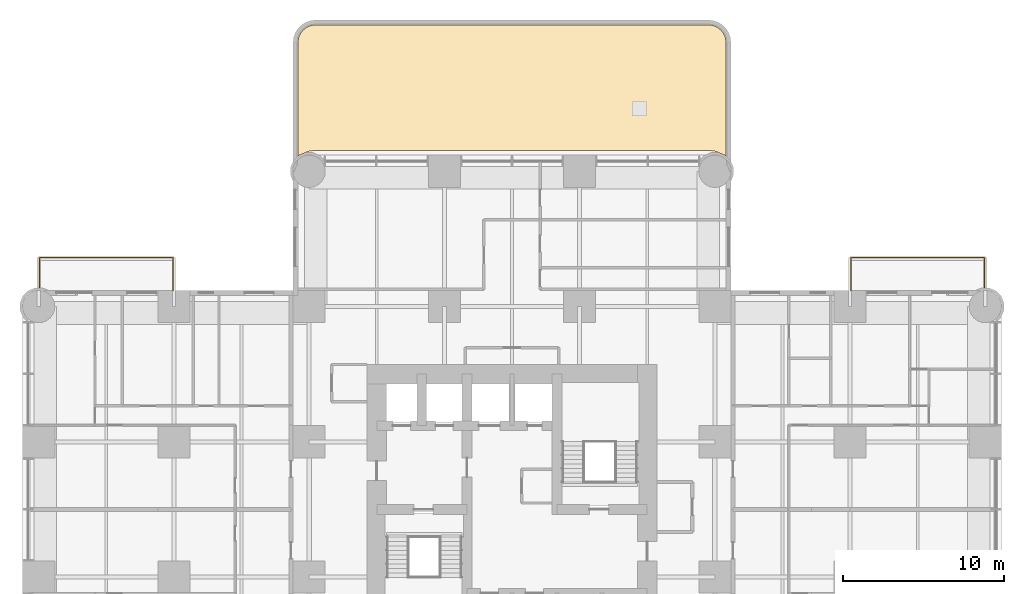
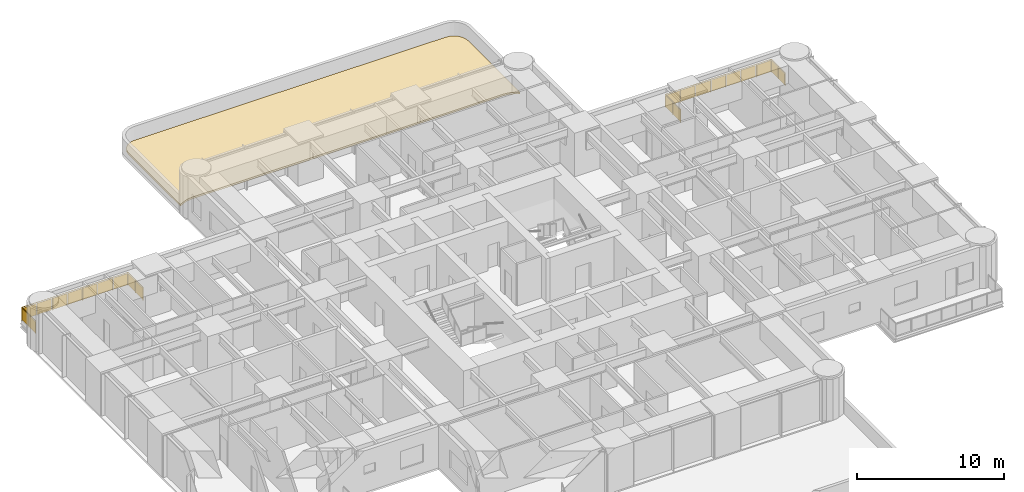
# One storey, part 14 of 14: 2 railings, 1 covering.
"""IFC4 building model written with IfcOpenShell, lengths in metres."""

from ifc_helpers import new_model, si_unit, direction, frame, origin, origin_2d, place, context, subcontext, project, spatial, polyline, circle, outline, extrude, material, layer, layer_set, constituent, constituent_set, type_object, element, save


model = new_model("IFC4")

# Units and contexts
model_context = context("Model", 3, precision=1e-05, world=origin(), true_north=direction((0.0, 1.0)))
body_context = subcontext(model_context, "Body", "Model", "MODEL_VIEW")
ifc_project = project(units=[si_unit("LENGTHUNIT", "METRE"), si_unit("AREAUNIT", "SQUARE_METRE"), si_unit("VOLUMEUNIT", "CUBIC_METRE"), si_unit("PLANEANGLEUNIT", "RADIAN"), si_unit("MASSUNIT", "GRAM", prefix="KILO")], contexts=[model_context])

# Site, building, storey
site_placement = place(None, origin())
site = spatial("IfcSite", under=ifc_project, at=site_placement, CompositionType="ELEMENT")
building_placement = place(site_placement, origin())
building = spatial("IfcBuilding", under=site, at=building_placement, Name="Torre Alcanfor", CompositionType="ELEMENT")
storey_placement = place(building_placement, frame((0.0, 0.0, 108.89990234375)))
storey = spatial("IfcBuildingStorey", under=building, at=storey_placement, Name="L27", CompositionType="ELEMENT", Elevation=108.89990234375)

# Railings
ifc_material_1 = material(Name="Laminated safety glass", Category="glass")
ifc_constituent_1 = constituent(ifc_material_1, Name="Infill")
ifc_material_2 = material(Name="Stainless steel ASTM A554 Grade MT 316L tube", Category="steel")
ifc_constituent_2 = constituent(ifc_material_2, Name="Posts and rail")
ifc_constituent_set = constituent_set(constituents=[ifc_constituent_1, ifc_constituent_2], Name="Balcony guard glass 1100")
railing_type = type_object("IfcRailingType", Name="Balcony guard glass 1100", PredefinedType="BALUSTRADE", material=ifc_constituent_set)
railing_1_placement = place(storey_placement, frame((50.449951171875, 43.0, 0.0)))
element("IfcRailing", 1, at=railing_1_placement, inside=storey, type_object=railing_type, Name="Balcony guard L27-E1", PredefinedType="BALUSTRADE", context=body_context, shape_type="SweptSolid", body=[
    extrude(circle(Radius=0.02392578125, at=origin_2d()), frame((0.0, 0.0, 1.076171875), z_axis=(0.0, 1.0, 0.0), x_axis=(-1.0, 0.0, 0.0)), (0.0, 0.0, 1.0), 2.050048828125),
    extrude(circle(Radius=0.02392578125, at=origin_2d()), frame((0.0, 2.050048828125, 1.076171875), z_axis=(1.0, 0.0, 0.0), x_axis=(0.0, 1.0, 0.0)), (0.0, 0.0, 1.0), 8.300048828125),
    extrude(circle(Radius=0.02392578125, at=origin_2d()), frame((8.300048828125, 2.050048828125, 1.076171875), z_axis=(0.0, -1.0, 0.0), x_axis=(1.0, 0.0, 0.0)), (0.0, 0.0, 1.0), 1.869140625),
    extrude(circle(Radius=0.02099609375, at=origin_2d()), origin(), (0.0, 0.0, 1.0), 1.052001953125),
    extrude(circle(Radius=0.02099609375, at=origin_2d()), frame((0.0, 1.02490234375, 0.0)), (0.0, 0.0, 1.0), 1.052001953125),
    extrude(circle(Radius=0.02099609375, at=origin_2d()), frame((0.0, 2.050048828125, 0.0)), (0.0, 0.0, 1.0), 1.052001953125),
    extrude(circle(Radius=0.02099609375, at=origin_2d()), frame((1.185791015625, 2.050048828125, 0.0)), (0.0, 0.0, 1.0), 1.052001953125),
    extrude(circle(Radius=0.02099609375, at=origin_2d()), frame((2.371337890625, 2.050048828125, 0.0)), (0.0, 0.0, 1.0), 1.052001953125),
    extrude(circle(Radius=0.02099609375, at=origin_2d()), frame((3.55712890625, 2.050048828125, 0.0)), (0.0, 0.0, 1.0), 1.052001953125),
    extrude(circle(Radius=0.02099609375, at=origin_2d()), frame((4.742919921875, 2.050048828125, 0.0)), (0.0, 0.0, 1.0), 1.052001953125),
    extrude(circle(Radius=0.02099609375, at=origin_2d()), frame((5.9287109375, 2.050048828125, 0.0)), (0.0, 0.0, 1.0), 1.052001953125),
    extrude(circle(Radius=0.02099609375, at=origin_2d()), frame((7.1142578125, 2.050048828125, 0.0)), (0.0, 0.0, 1.0), 1.052001953125),
    extrude(circle(Radius=0.02099609375, at=origin_2d()), frame((8.300048828125, 2.050048828125, 0.0)), (0.0, 0.0, 1.0), 1.052001953125),
    extrude(circle(Radius=0.02099609375, at=origin_2d()), frame((8.300048828125, 1.115478515625, 0.0)), (0.0, 0.0, 1.0), 1.052001953125),
    extrude(circle(Radius=0.02099609375, at=origin_2d()), frame((8.300048828125, 0.180908203125, 0.0)), (0.0, 0.0, 1.0), 1.052001953125),
    extrude(outline(polyline([(0.041015625, 0.050048828125), (0.984130859375, 0.050048828125), (0.984130859375, 1.001953125), (0.041015625, 1.001953125), (0.041015625, 0.050048828125)])), frame((-0.005859375, 0.0, 0.0), z_axis=(1.0, 0.0, 0.0), x_axis=(0.0, 1.0, 0.0)), (0.0, 0.0, 1.0), 0.011962890625),
    extrude(outline(polyline([(1.06591796875, 0.050048828125), (2.009033203125, 0.050048828125), (2.009033203125, 1.001953125), (1.06591796875, 1.001953125), (1.06591796875, 0.050048828125)])), frame((-0.005859375, 0.0, 0.0), z_axis=(1.0, 0.0, 0.0), x_axis=(0.0, 1.0, 0.0)), (0.0, 0.0, 1.0), 0.011962890625),
    extrude(outline(polyline([(0.041015625, 0.050048828125), (1.144775390625, 0.050048828125), (1.144775390625, 1.001953125), (0.041015625, 1.001953125), (0.041015625, 0.050048828125)])), frame((0.0, 2.05615234375, 0.0), z_axis=(0.0, -1.0, 0.0), x_axis=(1.0, 0.0, 0.0)), (0.0, 0.0, 1.0), 0.011962890625),
    extrude(outline(polyline([(1.226806640625, 0.050048828125), (2.330322265625, 0.050048828125), (2.330322265625, 1.001953125), (1.226806640625, 1.001953125), (1.226806640625, 0.050048828125)])), frame((0.0, 2.05615234375, 0.0), z_axis=(0.0, -1.0, 0.0), x_axis=(1.0, 0.0, 0.0)), (0.0, 0.0, 1.0), 0.011962890625),
    extrude(outline(polyline([(2.412353515625, 0.050048828125), (3.51611328125, 0.050048828125), (3.51611328125, 1.001953125), (2.412353515625, 1.001953125), (2.412353515625, 0.050048828125)])), frame((0.0, 2.05615234375, 0.0), z_axis=(0.0, -1.0, 0.0), x_axis=(1.0, 0.0, 0.0)), (0.0, 0.0, 1.0), 0.011962890625),
    extrude(outline(polyline([(3.59814453125, 0.050048828125), (4.701904296875, 0.050048828125), (4.701904296875, 1.001953125), (3.59814453125, 1.001953125), (3.59814453125, 0.050048828125)])), frame((0.0, 2.05615234375, 0.0), z_axis=(0.0, -1.0, 0.0), x_axis=(1.0, 0.0, 0.0)), (0.0, 0.0, 1.0), 0.011962890625),
    extrude(outline(polyline([(4.783935546875, 0.050048828125), (5.8876953125, 0.050048828125), (5.8876953125, 1.001953125), (4.783935546875, 1.001953125), (4.783935546875, 0.050048828125)])), frame((0.0, 2.05615234375, 0.0), z_axis=(0.0, -1.0, 0.0), x_axis=(1.0, 0.0, 0.0)), (0.0, 0.0, 1.0), 0.011962890625),
    extrude(outline(polyline([(5.9697265625, 0.050048828125), (7.0732421875, 0.050048828125), (7.0732421875, 1.001953125), (5.9697265625, 1.001953125), (5.9697265625, 0.050048828125)])), frame((0.0, 2.05615234375, 0.0), z_axis=(0.0, -1.0, 0.0), x_axis=(1.0, 0.0, 0.0)), (0.0, 0.0, 1.0), 0.011962890625),
    extrude(outline(polyline([(7.1552734375, 0.050048828125), (8.259033203125, 0.050048828125), (8.259033203125, 1.001953125), (7.1552734375, 1.001953125), (7.1552734375, 0.050048828125)])), frame((0.0, 2.05615234375, 0.0), z_axis=(0.0, -1.0, 0.0), x_axis=(1.0, 0.0, 0.0)), (0.0, 0.0, 1.0), 0.011962890625),
    extrude(outline(polyline([(0.041015625, 0.050048828125), (0.8935546875, 0.050048828125), (0.8935546875, 1.001953125), (0.041015625, 1.001953125), (0.041015625, 0.050048828125)])), frame((8.30615234375, 2.050048828125, 0.0), z_axis=(-1.0, 0.0, 0.0), x_axis=(0.0, -1.0, 0.0)), (0.0, 0.0, 1.0), 0.011962890625),
    extrude(outline(polyline([(0.9755859375, 0.050048828125), (1.828125, 0.050048828125), (1.828125, 1.001953125), (0.9755859375, 1.001953125), (0.9755859375, 0.050048828125)])), frame((8.30615234375, 2.050048828125, 0.0), z_axis=(-1.0, 0.0, 0.0), x_axis=(0.0, -1.0, 0.0)), (0.0, 0.0, 1.0), 0.011962890625),
])
railing_2_placement = place(storey_placement, frame((8.35009765625, 43.0, 0.0)))
element("IfcRailing", 2, at=railing_2_placement, inside=storey, type_object=railing_type, Name="Balcony guard L27-W2", PredefinedType="BALUSTRADE", context=body_context, shape_type="SweptSolid", body=[
    extrude(circle(Radius=0.02392578125, at=origin_2d()), frame((0.0, 0.0, 1.076171875), z_axis=(0.0, 1.0, 0.0), x_axis=(-1.0, 0.0, 0.0)), (0.0, 0.0, 1.0), 2.050048828125),
    extrude(circle(Radius=0.02392578125, at=origin_2d()), frame((0.0, 2.050048828125, 1.076171875), z_axis=(-1.0, 0.0, 0.0), x_axis=(0.0, -1.0, 0.0)), (0.0, 0.0, 1.0), 8.300048828125),
    extrude(circle(Radius=0.02392578125, at=origin_2d()), frame((-8.300048828125, 2.050048828125, 1.076171875), z_axis=(0.0, -1.0, 0.0), x_axis=(1.0, 0.0, 0.0)), (0.0, 0.0, 1.0), 1.869140625),
    extrude(circle(Radius=0.02099609375, at=origin_2d()), origin(), (0.0, 0.0, 1.0), 1.052001953125),
    extrude(circle(Radius=0.02099609375, at=origin_2d()), frame((0.0, 1.02490234375, 0.0)), (0.0, 0.0, 1.0), 1.052001953125),
    extrude(circle(Radius=0.02099609375, at=origin_2d()), frame((0.0, 2.050048828125, 0.0)), (0.0, 0.0, 1.0), 1.052001953125),
    extrude(circle(Radius=0.02099609375, at=origin_2d()), frame((-1.185791015625, 2.050048828125, 0.0)), (0.0, 0.0, 1.0), 1.052001953125),
    extrude(circle(Radius=0.02099609375, at=origin_2d()), frame((-2.371337890625, 2.050048828125, 0.0)), (0.0, 0.0, 1.0), 1.052001953125),
    extrude(circle(Radius=0.02099609375, at=origin_2d()), frame((-3.55712890625, 2.050048828125, 0.0)), (0.0, 0.0, 1.0), 1.052001953125),
    extrude(circle(Radius=0.02099609375, at=origin_2d()), frame((-4.742919921875, 2.050048828125, 0.0)), (0.0, 0.0, 1.0), 1.052001953125),
    extrude(circle(Radius=0.02099609375, at=origin_2d()), frame((-5.9287109375, 2.050048828125, 0.0)), (0.0, 0.0, 1.0), 1.052001953125),
    extrude(circle(Radius=0.02099609375, at=origin_2d()), frame((-7.1142578125, 2.050048828125, 0.0)), (0.0, 0.0, 1.0), 1.052001953125),
    extrude(circle(Radius=0.02099609375, at=origin_2d()), frame((-8.300048828125, 2.050048828125, 0.0)), (0.0, 0.0, 1.0), 1.052001953125),
    extrude(circle(Radius=0.02099609375, at=origin_2d()), frame((-8.300048828125, 1.115478515625, 0.0)), (0.0, 0.0, 1.0), 1.052001953125),
    extrude(circle(Radius=0.02099609375, at=origin_2d()), frame((-8.300048828125, 0.180908203125, 0.0)), (0.0, 0.0, 1.0), 1.052001953125),
    extrude(outline(polyline([(0.041015625, 0.050048828125), (0.984130859375, 0.050048828125), (0.984130859375, 1.001953125), (0.041015625, 1.001953125), (0.041015625, 0.050048828125)])), frame((-0.005859375, 0.0, 0.0), z_axis=(1.0, 0.0, 0.0), x_axis=(0.0, 1.0, 0.0)), (0.0, 0.0, 1.0), 0.011962890625),
    extrude(outline(polyline([(1.06591796875, 0.050048828125), (2.009033203125, 0.050048828125), (2.009033203125, 1.001953125), (1.06591796875, 1.001953125), (1.06591796875, 0.050048828125)])), frame((-0.005859375, 0.0, 0.0), z_axis=(1.0, 0.0, 0.0), x_axis=(0.0, 1.0, 0.0)), (0.0, 0.0, 1.0), 0.011962890625),
    extrude(outline(polyline([(0.041015625, 0.050048828125), (1.144775390625, 0.050048828125), (1.144775390625, 1.001953125), (0.041015625, 1.001953125), (0.041015625, 0.050048828125)])), frame((0.0, 2.0439453125, 0.0), z_axis=(0.0, 1.0, 0.0), x_axis=(-1.0, 0.0, 0.0)), (0.0, 0.0, 1.0), 0.011962890625),
    extrude(outline(polyline([(1.226806640625, 0.050048828125), (2.330322265625, 0.050048828125), (2.330322265625, 1.001953125), (1.226806640625, 1.001953125), (1.226806640625, 0.050048828125)])), frame((0.0, 2.0439453125, 0.0), z_axis=(0.0, 1.0, 0.0), x_axis=(-1.0, 0.0, 0.0)), (0.0, 0.0, 1.0), 0.011962890625),
    extrude(outline(polyline([(2.412353515625, 0.050048828125), (3.51611328125, 0.050048828125), (3.51611328125, 1.001953125), (2.412353515625, 1.001953125), (2.412353515625, 0.050048828125)])), frame((0.0, 2.0439453125, 0.0), z_axis=(0.0, 1.0, 0.0), x_axis=(-1.0, 0.0, 0.0)), (0.0, 0.0, 1.0), 0.011962890625),
    extrude(outline(polyline([(3.59814453125, 0.050048828125), (4.701904296875, 0.050048828125), (4.701904296875, 1.001953125), (3.59814453125, 1.001953125), (3.59814453125, 0.050048828125)])), frame((0.0, 2.0439453125, 0.0), z_axis=(0.0, 1.0, 0.0), x_axis=(-1.0, 0.0, 0.0)), (0.0, 0.0, 1.0), 0.011962890625),
    extrude(outline(polyline([(4.783935546875, 0.050048828125), (5.8876953125, 0.050048828125), (5.8876953125, 1.001953125), (4.783935546875, 1.001953125), (4.783935546875, 0.050048828125)])), frame((0.0, 2.0439453125, 0.0), z_axis=(0.0, 1.0, 0.0), x_axis=(-1.0, 0.0, 0.0)), (0.0, 0.0, 1.0), 0.011962890625),
    extrude(outline(polyline([(5.9697265625, 0.050048828125), (7.0732421875, 0.050048828125), (7.0732421875, 1.001953125), (5.9697265625, 1.001953125), (5.9697265625, 0.050048828125)])), frame((0.0, 2.0439453125, 0.0), z_axis=(0.0, 1.0, 0.0), x_axis=(-1.0, 0.0, 0.0)), (0.0, 0.0, 1.0), 0.011962890625),
    extrude(outline(polyline([(7.1552734375, 0.050048828125), (8.259033203125, 0.050048828125), (8.259033203125, 1.001953125), (7.1552734375, 1.001953125), (7.1552734375, 0.050048828125)])), frame((0.0, 2.0439453125, 0.0), z_axis=(0.0, 1.0, 0.0), x_axis=(-1.0, 0.0, 0.0)), (0.0, 0.0, 1.0), 0.011962890625),
    extrude(outline(polyline([(0.041015625, 0.050048828125), (0.8935546875, 0.050048828125), (0.8935546875, 1.001953125), (0.041015625, 1.001953125), (0.041015625, 0.050048828125)])), frame((-8.2939453125, 2.050048828125, 0.0), z_axis=(-1.0, 0.0, 0.0), x_axis=(0.0, -1.0, 0.0)), (0.0, 0.0, 1.0), 0.011962890625),
    extrude(outline(polyline([(0.9755859375, 0.050048828125), (1.828125, 0.050048828125), (1.828125, 1.001953125), (0.9755859375, 1.001953125), (0.9755859375, 0.050048828125)])), frame((-8.2939453125, 2.050048828125, 0.0), z_axis=(-1.0, 0.0, 0.0), x_axis=(0.0, -1.0, 0.0)), (0.0, 0.0, 1.0), 0.011962890625),
])

# Covering
ifc_material_3 = material(Name="Growing medium on drainage board and waterproofing", Category="masonry")
ifc_layer = layer(ifc_material_3, 0.14990234375)
ifc_layer_set = layer_set([ifc_layer], Name="Planted roof build-up 150")
covering_type = type_object("IfcCoveringType", Name="Planted roof build-up 150", PredefinedType="ROOFING", material=ifc_layer_set)
covering_placement = place(storey_placement, origin())
element("IfcCovering", 3, at=covering_placement, inside=storey, type_object=covering_type, Name="Planted maintenance roof L27 2", PredefinedType="ROOFING", context=body_context, shape_type="SweptSolid", body=[
    extrude(outline(polyline([(16.10009765625, 58.38037109375), (16.139892578125, 58.68408203125), (16.24951171875, 58.94873046875), (16.424072265625, 59.17578125), (16.6513671875, 59.350341796875), (16.916015625, 59.4599609375), (17.2197265625, 59.5), (41.580322265625, 59.5), (41.884033203125, 59.4599609375), (42.148681640625, 59.350341796875), (42.3759765625, 59.17578125), (42.55029296875, 58.94873046875), (42.659912109375, 58.68408203125), (42.699951171875, 58.38037109375), (42.699951171875, 51.340576171875), (42.656982421875, 51.38330078125), (42.4677734375, 51.4619140625), (42.451416015625, 51.474365234375), (42.04052734375, 51.64453125), (41.61962890625, 51.699951171875), (17.180419921875, 51.699951171875), (16.759521484375, 51.64453125), (16.3486328125, 51.474365234375), (16.332275390625, 51.4619140625), (16.142822265625, 51.38330078125), (16.10009765625, 51.340576171875), (16.10009765625, 58.38037109375)])), origin(), (0.0, 0.0, 1.0), 0.150146484375),
])

save(model, "model.ifc")
